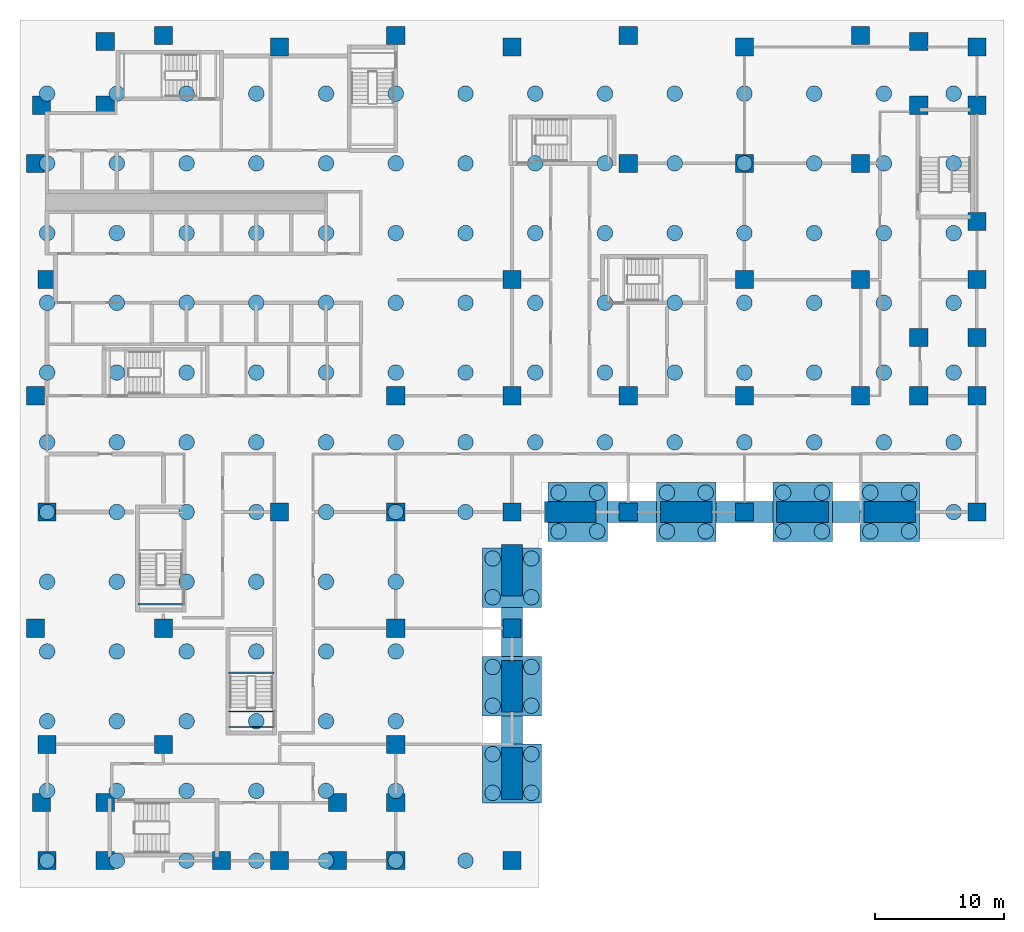
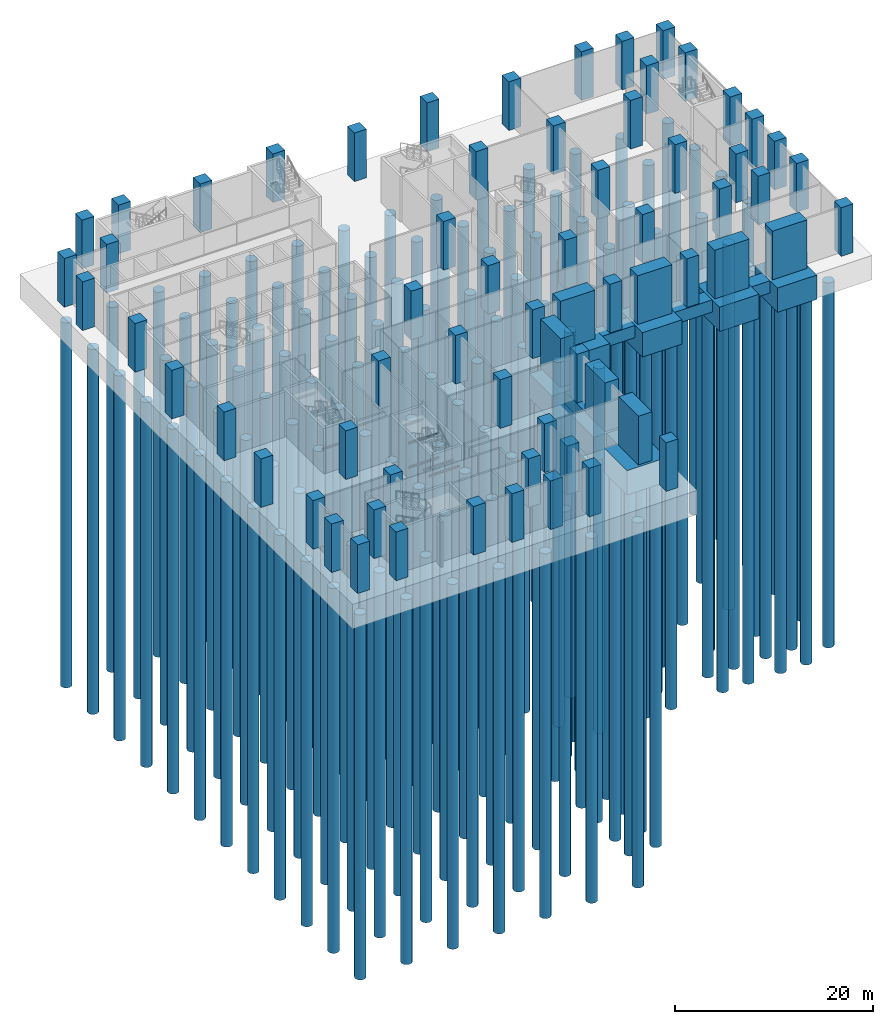
# One storey, part 1 of 12: 151 piles, 66 columns, 12 footings, 5 beams.
"""IFC4 building model written with IfcOpenShell, lengths in metres."""

from ifc_helpers import new_model, si_unit, direction, frame, origin, origin_2d, place, context, subcontext, project, spatial, polyline, rectangle, circle, i_section, outline, extrude, material, layer, layer_set, material_profile, profile_set, type_object, element, save


model = new_model("IFC4")

# Units and contexts
model_context = context("Model", 3, precision=1e-05, world=origin(), true_north=direction((0.0, 1.0)))
body_context = subcontext(model_context, "Body", "Model", "MODEL_VIEW")
ifc_project = project(units=[si_unit("LENGTHUNIT", "METRE"), si_unit("AREAUNIT", "SQUARE_METRE"), si_unit("VOLUMEUNIT", "CUBIC_METRE"), si_unit("PLANEANGLEUNIT", "RADIAN"), si_unit("MASSUNIT", "GRAM", prefix="KILO")], contexts=[model_context])

# Site, building, storey
site_placement = place(None, origin())
site = spatial("IfcSite", under=ifc_project, at=site_placement, CompositionType="ELEMENT")
building_placement = place(site_placement, origin())
building = spatial("IfcBuilding", under=site, at=building_placement, Name="Brondeck Convention Tower", CompositionType="ELEMENT")
storey_placement = place(building_placement, frame((0.0, 0.0, -6.0)))
storey = spatial("IfcBuildingStorey", under=building, at=storey_placement, Name="B1", CompositionType="ELEMENT", Elevation=-6.0)

# Piles
ifc_material_1 = material(Name="Concrete C40/50", Category="concrete")
ifc_material_profile_1 = material_profile(ifc_material_1, circle(Radius=0.60009765625, at=origin_2d()), Name="Bored pile 1200 Concrete C40/50")
ifc_profile_set_1 = profile_set([ifc_material_profile_1], Name="Concrete C40/50")
pile_type = type_object("IfcPileType", Name="Bored pile 1200 Concrete C40/50", PredefinedType="BORED", material=ifc_profile_set_1)
for number, where, z_axis, x_axis, name in (
    (1, (0.0, 0.0, -2.89990234375), (0.0, 0.0, -1.0), (1.0, 0.0, 0.0), "STR-PILE-001"),
    (2, (0.0, 5.39990234375, -2.89990234375), (0.0, 0.0, -1.0), (1.0, 0.0, 0.0), "STR-PILE-002"),
    (3, (0.0, 10.800048828125, -2.89990234375), (0.0, 0.0, -1.0), (1.0, 0.0, 0.0), "STR-PILE-003"),
    (4, (0.0, 16.199951171875, -2.89990234375), (0.0, 0.0, -1.0), (1.0, 0.0, 0.0), "STR-PILE-004"),
    (5, (0.0, 21.60009765625, -2.89990234375), (0.0, 0.0, -1.0), (1.0, 0.0, 0.0), "STR-PILE-005"),
    (6, (0.0, 27.0, -2.89990234375), (0.0, 0.0, -1.0), (1.0, 0.0, 0.0), "STR-PILE-006"),
    (7, (0.0, 32.39990234375, -2.89990234375), (0.0, 0.0, -1.0), (1.0, 0.0, 0.0), "STR-PILE-007"),
    (8, (0.0, 37.800048828125, -2.89990234375), (0.0, 0.0, -1.0), (1.0, 0.0, 0.0), "STR-PILE-008"),
    (9, (0.0, 43.199951171875, -2.89990234375), (0.0, 0.0, -1.0), (1.0, 0.0, 0.0), "STR-PILE-009"),
    (10, (0.0, 48.60009765625, -2.89990234375), (0.0, 0.0, -1.0), (1.0, 0.0, 0.0), "STR-PILE-010"),
    (11, (0.0, 54.0, -2.89990234375), (0.0, 0.0, -1.0), (1.0, 0.0, 0.0), "STR-PILE-011"),
    (12, (0.0, 59.39990234375, -2.89990234375), (0.0, 0.0, -1.0), (1.0, 0.0, 0.0), "STR-PILE-012"),
    (13, (5.39990234375, 0.0, -2.89990234375), (0.0, 0.0, -1.0), (1.0, 0.0, 0.0), "STR-PILE-013"),
    (14, (5.39990234375, 5.39990234375, -2.89990234375), (0.0, 0.0, -1.0), (1.0, 0.0, 0.0), "STR-PILE-014"),
    (15, (5.39990234375, 10.800048828125, -2.89990234375), (0.0, 0.0, -1.0), (1.0, 0.0, 0.0), "STR-PILE-015"),
    (16, (5.39990234375, 16.199951171875, -2.89990234375), (0.0, 0.0, -1.0), (1.0, 0.0, 0.0), "STR-PILE-016"),
    (17, (5.39990234375, 21.60009765625, -2.89990234375), (0.0, 0.0, -1.0), (1.0, 0.0, 0.0), "STR-PILE-017"),
    (18, (5.39990234375, 27.0, -2.89990234375), (0.0, 0.0, -1.0), (1.0, 0.0, 0.0), "STR-PILE-018"),
    (19, (5.39990234375, 32.39990234375, -2.89990234375), (0.0, 0.0, -1.0), (1.0, 0.0, 0.0), "STR-PILE-019"),
    (20, (5.39990234375, 37.800048828125, -2.89990234375), (0.0, 0.0, -1.0), (1.0, 0.0, 0.0), "STR-PILE-020"),
    (21, (5.39990234375, 43.199951171875, -2.89990234375), (0.0, 0.0, -1.0), (1.0, 0.0, 0.0), "STR-PILE-021"),
    (22, (5.39990234375, 48.60009765625, -2.89990234375), (0.0, 0.0, -1.0), (1.0, 0.0, 0.0), "STR-PILE-022"),
    (23, (5.39990234375, 54.0, -2.89990234375), (0.0, 0.0, -1.0), (1.0, 0.0, 0.0), "STR-PILE-023"),
    (24, (5.39990234375, 59.39990234375, -2.89990234375), (0.0, 0.0, -1.0), (1.0, 0.0, 0.0), "STR-PILE-024"),
    (25, (10.800048828125, 0.0, -2.89990234375), (0.0, 0.0, -1.0), (1.0, 0.0, 0.0), "STR-PILE-025"),
    (26, (10.800048828125, 5.39990234375, -2.89990234375), (0.0, 0.0, -1.0), (1.0, 0.0, 0.0), "STR-PILE-026"),
    (27, (10.800048828125, 10.800048828125, -2.89990234375), (0.0, 0.0, -1.0), (1.0, 0.0, 0.0), "STR-PILE-027"),
    (28, (10.800048828125, 16.199951171875, -2.89990234375), (0.0, 0.0, -1.0), (1.0, 0.0, 0.0), "STR-PILE-028"),
    (29, (10.800048828125, 21.60009765625, -2.89990234375), (0.0, 0.0, -1.0), (1.0, 0.0, 0.0), "STR-PILE-029"),
    (30, (10.800048828125, 27.0, -2.89990234375), (0.0, 0.0, -1.0), (1.0, 0.0, 0.0), "STR-PILE-030"),
    (31, (10.800048828125, 32.39990234375, -2.89990234375), (0.0, 0.0, -1.0), (1.0, 0.0, 0.0), "STR-PILE-031"),
    (32, (10.800048828125, 37.800048828125, -2.89990234375), (0.0, 0.0, -1.0), (1.0, 0.0, 0.0), "STR-PILE-032"),
    (33, (10.800048828125, 43.199951171875, -2.89990234375), (0.0, 0.0, -1.0), (1.0, 0.0, 0.0), "STR-PILE-033"),
    (34, (10.800048828125, 48.60009765625, -2.89990234375), (0.0, 0.0, -1.0), (1.0, 0.0, 0.0), "STR-PILE-034"),
    (35, (10.800048828125, 54.0, -2.89990234375), (0.0, 0.0, -1.0), (1.0, 0.0, 0.0), "STR-PILE-035"),
    (36, (10.800048828125, 59.39990234375, -2.89990234375), (0.0, 0.0, -1.0), (1.0, 0.0, 0.0), "STR-PILE-036"),
    (37, (16.199951171875, 0.0, -2.89990234375), (0.0, 0.0, -1.0), (1.0, 0.0, 0.0), "STR-PILE-037"),
    (38, (16.199951171875, 5.39990234375, -2.89990234375), (0.0, 0.0, -1.0), (1.0, 0.0, 0.0), "STR-PILE-038"),
    (39, (16.199951171875, 10.800048828125, -2.89990234375), (0.0, 0.0, -1.0), (1.0, 0.0, 0.0), "STR-PILE-039"),
    (40, (16.199951171875, 16.199951171875, -2.89990234375), (0.0, 0.0, -1.0), (1.0, 0.0, 0.0), "STR-PILE-040"),
    (41, (16.199951171875, 21.60009765625, -2.89990234375), (0.0, 0.0, -1.0), (1.0, 0.0, 0.0), "STR-PILE-041"),
    (42, (16.199951171875, 27.0, -2.89990234375), (0.0, 0.0, -1.0), (1.0, 0.0, 0.0), "STR-PILE-042"),
    (43, (16.199951171875, 32.39990234375, -2.89990234375), (0.0, 0.0, -1.0), (1.0, 0.0, 0.0), "STR-PILE-043"),
    (44, (16.199951171875, 37.800048828125, -2.89990234375), (0.0, 0.0, -1.0), (1.0, 0.0, 0.0), "STR-PILE-044"),
    (45, (16.199951171875, 43.199951171875, -2.89990234375), (0.0, 0.0, -1.0), (1.0, 0.0, 0.0), "STR-PILE-045"),
    (46, (16.199951171875, 48.60009765625, -2.89990234375), (0.0, 0.0, -1.0), (1.0, 0.0, 0.0), "STR-PILE-046"),
    (47, (16.199951171875, 54.0, -2.89990234375), (0.0, 0.0, -1.0), (1.0, 0.0, 0.0), "STR-PILE-047"),
    (48, (16.199951171875, 59.39990234375, -2.89990234375), (0.0, 0.0, -1.0), (1.0, 0.0, 0.0), "STR-PILE-048"),
    (49, (21.60009765625, 0.0, -2.89990234375), (0.0, 0.0, -1.0), (1.0, 0.0, 0.0), "STR-PILE-049"),
    (50, (21.60009765625, 5.39990234375, -2.89990234375), (0.0, 0.0, -1.0), (1.0, 0.0, 0.0), "STR-PILE-050"),
    (51, (21.60009765625, 10.800048828125, -2.89990234375), (0.0, 0.0, -1.0), (1.0, 0.0, 0.0), "STR-PILE-051"),
    (52, (21.60009765625, 16.199951171875, -2.89990234375), (0.0, 0.0, -1.0), (1.0, 0.0, 0.0), "STR-PILE-052"),
    (53, (21.60009765625, 21.60009765625, -2.89990234375), (0.0, 0.0, -1.0), (1.0, 0.0, 0.0), "STR-PILE-053"),
    (54, (21.60009765625, 27.0, -2.89990234375), (0.0, 0.0, -1.0), (1.0, 0.0, 0.0), "STR-PILE-054"),
    (55, (21.60009765625, 32.39990234375, -2.89990234375), (0.0, 0.0, -1.0), (1.0, 0.0, 0.0), "STR-PILE-055"),
    (56, (21.60009765625, 37.800048828125, -2.89990234375), (0.0, 0.0, -1.0), (1.0, 0.0, 0.0), "STR-PILE-056"),
    (57, (21.60009765625, 43.199951171875, -2.89990234375), (0.0, 0.0, -1.0), (1.0, 0.0, 0.0), "STR-PILE-057"),
    (58, (21.60009765625, 48.60009765625, -2.89990234375), (0.0, 0.0, -1.0), (1.0, 0.0, 0.0), "STR-PILE-058"),
    (59, (21.60009765625, 54.0, -2.89990234375), (0.0, 0.0, -1.0), (1.0, 0.0, 0.0), "STR-PILE-059"),
    (60, (21.60009765625, 59.39990234375, -2.89990234375), (0.0, 0.0, -1.0), (1.0, 0.0, 0.0), "STR-PILE-060"),
    (61, (27.0, 0.0, -2.89990234375), (0.0, 0.0, -1.0), (1.0, 0.0, 0.0), "STR-PILE-061"),
    (62, (27.0, 5.39990234375, -2.89990234375), (0.0, 0.0, -1.0), (1.0, 0.0, 0.0), "STR-PILE-062"),
    (63, (27.0, 10.800048828125, -2.89990234375), (0.0, 0.0, -1.0), (1.0, 0.0, 0.0), "STR-PILE-063"),
    (64, (27.0, 16.199951171875, -2.89990234375), (0.0, 0.0, -1.0), (1.0, 0.0, 0.0), "STR-PILE-064"),
    (65, (27.0, 21.60009765625, -2.89990234375), (0.0, 0.0, -1.0), (1.0, 0.0, 0.0), "STR-PILE-065"),
    (66, (27.0, 27.0, -2.89990234375), (0.0, 0.0, -1.0), (1.0, 0.0, 0.0), "STR-PILE-066"),
    (67, (27.0, 32.39990234375, -2.89990234375), (0.0, 0.0, -1.0), (1.0, 0.0, 0.0), "STR-PILE-067"),
    (68, (27.0, 37.800048828125, -2.89990234375), (0.0, 0.0, -1.0), (1.0, 0.0, 0.0), "STR-PILE-068"),
    (69, (27.0, 43.199951171875, -2.89990234375), (0.0, 0.0, -1.0), (1.0, 0.0, 0.0), "STR-PILE-069"),
    (70, (27.0, 48.60009765625, -2.89990234375), (0.0, 0.0, -1.0), (1.0, 0.0, 0.0), "STR-PILE-070"),
    (71, (27.0, 54.0, -2.89990234375), (0.0, 0.0, -1.0), (1.0, 0.0, 0.0), "STR-PILE-071"),
    (72, (27.0, 59.39990234375, -2.89990234375), (0.0, 0.0, -1.0), (1.0, 0.0, 0.0), "STR-PILE-072"),
    (73, (32.39990234375, 0.0, -2.89990234375), (0.0, 0.0, -1.0), (1.0, 0.0, 0.0), "STR-PILE-073"),
    (74, (32.39990234375, 27.0, -2.89990234375), (0.0, 0.0, -1.0), (1.0, 0.0, 0.0), "STR-PILE-074"),
    (75, (32.39990234375, 32.39990234375, -2.89990234375), (0.0, 0.0, -1.0), (1.0, 0.0, 0.0), "STR-PILE-075"),
    (76, (32.39990234375, 37.800048828125, -2.89990234375), (0.0, 0.0, -1.0), (1.0, 0.0, 0.0), "STR-PILE-076"),
    (77, (32.39990234375, 43.199951171875, -2.89990234375), (0.0, 0.0, -1.0), (1.0, 0.0, 0.0), "STR-PILE-077"),
    (78, (32.39990234375, 48.60009765625, -2.89990234375), (0.0, 0.0, -1.0), (1.0, 0.0, 0.0), "STR-PILE-078"),
    (79, (32.39990234375, 54.0, -2.89990234375), (0.0, 0.0, -1.0), (1.0, 0.0, 0.0), "STR-PILE-079"),
    (80, (32.39990234375, 59.39990234375, -2.89990234375), (0.0, 0.0, -1.0), (1.0, 0.0, 0.0), "STR-PILE-080"),
    (81, (37.800048828125, 32.39990234375, -2.89990234375), (0.0, 0.0, -1.0), (1.0, 0.0, 0.0), "STR-PILE-081"),
    (82, (37.800048828125, 37.800048828125, -2.89990234375), (0.0, 0.0, -1.0), (1.0, 0.0, 0.0), "STR-PILE-082"),
    (83, (37.800048828125, 43.199951171875, -2.89990234375), (0.0, 0.0, -1.0), (1.0, 0.0, 0.0), "STR-PILE-083"),
    (84, (37.800048828125, 48.60009765625, -2.89990234375), (0.0, 0.0, -1.0), (1.0, 0.0, 0.0), "STR-PILE-084"),
    (85, (37.800048828125, 54.0, -2.89990234375), (0.0, 0.0, -1.0), (1.0, 0.0, 0.0), "STR-PILE-085"),
    (86, (37.800048828125, 59.39990234375, -2.89990234375), (0.0, 0.0, -1.0), (1.0, 0.0, 0.0), "STR-PILE-086"),
    (87, (43.199951171875, 32.39990234375, -2.89990234375), (0.0, 0.0, -1.0), (1.0, 0.0, 0.0), "STR-PILE-087"),
    (88, (43.199951171875, 37.800048828125, -2.89990234375), (0.0, 0.0, -1.0), (1.0, 0.0, 0.0), "STR-PILE-088"),
    (89, (43.199951171875, 43.199951171875, -2.89990234375), (0.0, 0.0, -1.0), (1.0, 0.0, 0.0), "STR-PILE-089"),
    (90, (43.199951171875, 48.60009765625, -2.89990234375), (0.0, 0.0, -1.0), (1.0, 0.0, 0.0), "STR-PILE-090"),
    (91, (43.199951171875, 54.0, -2.89990234375), (0.0, 0.0, -1.0), (1.0, 0.0, 0.0), "STR-PILE-091"),
    (92, (43.199951171875, 59.39990234375, -2.89990234375), (0.0, 0.0, -1.0), (1.0, 0.0, 0.0), "STR-PILE-092"),
    (93, (48.60009765625, 32.39990234375, -2.89990234375), (0.0, 0.0, -1.0), (1.0, 0.0, 0.0), "STR-PILE-093"),
    (94, (48.60009765625, 37.800048828125, -2.89990234375), (0.0, 0.0, -1.0), (1.0, 0.0, 0.0), "STR-PILE-094"),
    (95, (48.60009765625, 43.199951171875, -2.89990234375), (0.0, 0.0, -1.0), (1.0, 0.0, 0.0), "STR-PILE-095"),
    (96, (48.60009765625, 48.60009765625, -2.89990234375), (0.0, 0.0, -1.0), (1.0, 0.0, 0.0), "STR-PILE-096"),
    (97, (48.60009765625, 54.0, -2.89990234375), (0.0, 0.0, -1.0), (1.0, 0.0, 0.0), "STR-PILE-097"),
    (98, (48.60009765625, 59.39990234375, -2.89990234375), (0.0, 0.0, -1.0), (1.0, 0.0, 0.0), "STR-PILE-098"),
    (99, (54.0, 32.39990234375, -2.89990234375), (0.0, 0.0, -1.0), (1.0, 0.0, 0.0), "STR-PILE-099"),
    (100, (54.0, 37.800048828125, -2.89990234375), (0.0, 0.0, -1.0), (1.0, 0.0, 0.0), "STR-PILE-100"),
    (101, (54.0, 43.199951171875, -2.89990234375), (0.0, 0.0, -1.0), (1.0, 0.0, 0.0), "STR-PILE-101"),
    (102, (54.0, 48.60009765625, -2.89990234375), (0.0, 0.0, -1.0), (1.0, 0.0, 0.0), "STR-PILE-102"),
    (103, (54.0, 54.0, -2.89990234375), (0.0, 0.0, -1.0), (1.0, 0.0, 0.0), "STR-PILE-103"),
    (104, (54.0, 59.39990234375, -2.89990234375), (0.0, 0.0, -1.0), (1.0, 0.0, 0.0), "STR-PILE-104"),
    (105, (59.39990234375, 32.39990234375, -2.89990234375), (0.0, 0.0, -1.0), (1.0, 0.0, 0.0), "STR-PILE-105"),
    (106, (59.39990234375, 37.800048828125, -2.89990234375), (0.0, 0.0, -1.0), (1.0, 0.0, 0.0), "STR-PILE-106"),
    (107, (59.39990234375, 43.199951171875, -2.89990234375), (0.0, 0.0, -1.0), (1.0, 0.0, 0.0), "STR-PILE-107"),
    (108, (59.39990234375, 48.60009765625, -2.89990234375), (0.0, 0.0, -1.0), (1.0, 0.0, 0.0), "STR-PILE-108"),
    (109, (59.39990234375, 54.0, -2.89990234375), (0.0, 0.0, -1.0), (1.0, 0.0, 0.0), "STR-PILE-109"),
    (110, (59.39990234375, 59.39990234375, -2.89990234375), (0.0, 0.0, -1.0), (1.0, 0.0, 0.0), "STR-PILE-110"),
    (111, (64.800048828125, 32.39990234375, -2.89990234375), (0.0, 0.0, -1.0), (1.0, 0.0, 0.0), "STR-PILE-111"),
    (112, (64.800048828125, 37.800048828125, -2.89990234375), (0.0, 0.0, -1.0), (1.0, 0.0, 0.0), "STR-PILE-112"),
    (113, (64.800048828125, 43.199951171875, -2.89990234375), (0.0, 0.0, -1.0), (1.0, 0.0, 0.0), "STR-PILE-113"),
    (114, (64.800048828125, 48.60009765625, -2.89990234375), (0.0, 0.0, -1.0), (1.0, 0.0, 0.0), "STR-PILE-114"),
    (115, (64.800048828125, 54.0, -2.89990234375), (0.0, 0.0, -1.0), (1.0, 0.0, 0.0), "STR-PILE-115"),
    (116, (64.800048828125, 59.39990234375, -2.89990234375), (0.0, 0.0, -1.0), (1.0, 0.0, 0.0), "STR-PILE-116"),
    (117, (70.199951171875, 27.0, -2.89990234375), (0.0, 0.0, -1.0), (1.0, 0.0, 0.0), "STR-PILE-117"),
    (118, (70.199951171875, 32.39990234375, -2.89990234375), (0.0, 0.0, -1.0), (1.0, 0.0, 0.0), "STR-PILE-118"),
    (119, (70.199951171875, 37.800048828125, -2.89990234375), (0.0, 0.0, -1.0), (1.0, 0.0, 0.0), "STR-PILE-119"),
    (120, (70.199951171875, 43.199951171875, -2.89990234375), (0.0, 0.0, -1.0), (1.0, 0.0, 0.0), "STR-PILE-120"),
    (121, (70.199951171875, 48.60009765625, -2.89990234375), (0.0, 0.0, -1.0), (1.0, 0.0, 0.0), "STR-PILE-121"),
    (122, (70.199951171875, 54.0, -2.89990234375), (0.0, 0.0, -1.0), (1.0, 0.0, 0.0), "STR-PILE-122"),
    (123, (70.199951171875, 59.39990234375, -2.89990234375), (0.0, 0.0, -1.0), (1.0, 0.0, 0.0), "STR-PILE-123"),
    (124, (39.60009765625, 25.5, -2.89990234375), (0.0, 0.0, -1.0), (1.0, 0.0, 0.0), "STR-PILE-124"),
    (125, (39.60009765625, 28.5, -2.89990234375), (0.0, 0.0, -1.0), (1.0, 0.0, 0.0), "STR-PILE-125"),
    (126, (42.60009765625, 25.5, -2.89990234375), (0.0, 0.0, -1.0), (1.0, 0.0, 0.0), "STR-PILE-126"),
    (127, (42.60009765625, 28.5, -2.89990234375), (0.0, 0.0, -1.0), (1.0, 0.0, 0.0), "STR-PILE-127"),
    (128, (48.0, 25.5, -2.89990234375), (0.0, 0.0, -1.0), (1.0, 0.0, 0.0), "STR-PILE-128"),
    (129, (48.0, 28.5, -2.89990234375), (0.0, 0.0, -1.0), (1.0, 0.0, 0.0), "STR-PILE-129"),
    (130, (51.0, 25.5, -2.89990234375), (0.0, 0.0, -1.0), (1.0, 0.0, 0.0), "STR-PILE-130"),
    (131, (51.0, 28.5, -2.89990234375), (0.0, 0.0, -1.0), (1.0, 0.0, 0.0), "STR-PILE-131"),
    (132, (57.0, 25.5, -2.89990234375), (0.0, 0.0, -1.0), (1.0, 0.0, 0.0), "STR-PILE-132"),
    (133, (57.0, 28.5, -2.89990234375), (0.0, 0.0, -1.0), (1.0, 0.0, 0.0), "STR-PILE-133"),
    (134, (60.0, 25.5, -2.89990234375), (0.0, 0.0, -1.0), (1.0, 0.0, 0.0), "STR-PILE-134"),
    (135, (60.0, 28.5, -2.89990234375), (0.0, 0.0, -1.0), (1.0, 0.0, 0.0), "STR-PILE-135"),
    (136, (63.75, 25.5, -2.89990234375), (0.0, 0.0, -1.0), (1.0, 0.0, 0.0), "STR-PILE-136"),
    (137, (63.75, 28.5, -2.89990234375), (0.0, 0.0, -1.0), (1.0, 0.0, 0.0), "STR-PILE-137"),
    (138, (66.75, 25.5, -2.89990234375), (0.0, 0.0, -1.0), (1.0, 0.0, 0.0), "STR-PILE-138"),
    (139, (66.75, 28.5, -2.89990234375), (0.0, 0.0, -1.0), (1.0, 0.0, 0.0), "STR-PILE-139"),
    (140, (34.5, 20.39990234375, -2.89990234375), (0.0, 0.0, -1.0), (1.0, 0.0, 0.0), "STR-PILE-140"),
    (141, (34.5, 23.39990234375, -2.89990234375), (0.0, 0.0, -1.0), (1.0, 0.0, 0.0), "STR-PILE-141"),
    (142, (37.5, 20.39990234375, -2.89990234375), (0.0, 0.0, -1.0), (1.0, 0.0, 0.0), "STR-PILE-142"),
    (143, (37.5, 23.39990234375, -2.89990234375), (0.0, 0.0, -1.0), (1.0, 0.0, 0.0), "STR-PILE-143"),
    (144, (34.5, 12.0, -2.89990234375), (0.0, 0.0, -1.0), (1.0, 0.0, 0.0), "STR-PILE-144"),
    (145, (34.5, 15.0, -2.89990234375), (0.0, 0.0, -1.0), (1.0, 0.0, 0.0), "STR-PILE-145"),
    (146, (37.5, 12.0, -2.89990234375), (0.0, 0.0, -1.0), (1.0, 0.0, 0.0), "STR-PILE-146"),
    (147, (37.5, 15.0, -2.89990234375), (0.0, 0.0, -1.0), (1.0, 0.0, 0.0), "STR-PILE-147"),
    (148, (34.5, 5.25, -2.89990234375), (0.0, 0.0, -1.0), (1.0, 0.0, 0.0), "STR-PILE-148"),
    (149, (34.5, 8.25, -2.89990234375), (0.0, 0.0, -1.0), (1.0, 0.0, 0.0), "STR-PILE-149"),
    (150, (37.5, 5.25, -2.89990234375), (0.0, 0.0, -1.0), (1.0, 0.0, 0.0), "STR-PILE-150"),
    (151, (37.5, 8.25, -2.89990234375), (0.0, 0.0, -1.0), (1.0, 0.0, 0.0), "STR-PILE-151"),
):
    element("IfcPile", number, at=place(storey_placement, frame(where, z_axis=z_axis, x_axis=x_axis)), inside=storey, type_object=pile_type, Name=name, PredefinedType="BORED", context=body_context, shape_type="SweptSolid", body=[
        extrude(circle(Radius=0.60009765625, at=origin_2d()), origin(), (0.0, 0.0, 1.0), 45.0),
    ])

# Footings
ifc_material_profile_2 = material_profile(ifc_material_1, rectangle(XDim=1.60009765625, YDim=1.5, at=origin_2d()), Name="Foundation tie beam Concrete C40/50")
ifc_profile_set_2 = profile_set([ifc_material_profile_2], Name="Concrete C40/50")
footing_type_1 = type_object("IfcFootingType", Name="Foundation tie beam Concrete C40/50", PredefinedType="FOOTING_BEAM", material=ifc_profile_set_2)
footing_1_placement = place(storey_placement, frame((43.39990234375, 27.0, -0.75), z_axis=(1.0, 0.0, 0.0), x_axis=(0.0, 1.0, 0.0)))
element("IfcFooting", 152, at=footing_1_placement, inside=storey, type_object=footing_type_1, Name="STR-TIE-V-A-S-1-V-A-S-2", PredefinedType="FOOTING_BEAM", context=body_context, shape_type="SweptSolid", body=[
    extrude(rectangle(XDim=1.60009765625, YDim=1.5, at=origin_2d()), origin(), (0.0, 0.0, 1.0), 3.800048828125),
])
footing_2_placement = place(storey_placement, frame((51.800048828125, 27.0, -0.75), z_axis=(1.0, 0.0, 0.0), x_axis=(0.0, 1.0, 0.0)))
element("IfcFooting", 153, at=footing_2_placement, inside=storey, type_object=footing_type_1, Name="STR-TIE-V-A-S-2-V-A-S-3", PredefinedType="FOOTING_BEAM", context=body_context, shape_type="SweptSolid", body=[
    extrude(rectangle(XDim=1.60009765625, YDim=1.5, at=origin_2d()), origin(), (0.0, 0.0, 1.0), 4.39990234375),
])
for number, where, z_axis, x_axis, name in (
    (154, (60.800048828125, 27.0, -0.75), (1.0, 0.0, 0.0), (0.0, 1.0, 0.0), "STR-TIE-V-A-S-3-V-A-S-4"),
    (155, (36.0, 9.050048828125, -0.75), (0.0, 1.0, 0.0), (-1.0, 0.0, 0.0), "STR-TIE-V-B-E-3-V-B-E-2"),
):
    element("IfcFooting", number, at=place(storey_placement, frame(where, z_axis=z_axis, x_axis=x_axis)), inside=storey, type_object=footing_type_1, Name=name, PredefinedType="FOOTING_BEAM", context=body_context, shape_type="SweptSolid", body=[
        extrude(rectangle(XDim=1.60009765625, YDim=1.5, at=origin_2d()), origin(), (0.0, 0.0, 1.0), 2.14990234375),
    ])
footing_3_placement = place(storey_placement, frame((36.0, 15.800048828125, -0.75), z_axis=(0.0, 1.0, 0.0), x_axis=(-1.0, 0.0, 0.0)))
element("IfcFooting", 156, at=footing_3_placement, inside=storey, type_object=footing_type_1, Name="STR-TIE-V-B-E-2-V-B-E-1", PredefinedType="FOOTING_BEAM", context=body_context, shape_type="SweptSolid", body=[
    extrude(rectangle(XDim=1.60009765625, YDim=1.5, at=origin_2d()), origin(), (0.0, 0.0, 1.0), 3.800048828125),
])
ifc_layer = layer(ifc_material_1, 3.0)
ifc_layer_set = layer_set([ifc_layer], Name="Pile cap Concrete C40/50")
footing_type_2 = type_object("IfcFootingType", Name="Pile cap Concrete C40/50", PredefinedType="PILE_CAP", material=ifc_layer_set)
footing_4_placement = place(storey_placement, frame((0.0, 0.0, -3.0)))
element("IfcFooting", 157, at=footing_4_placement, inside=storey, type_object=footing_type_2, Name="STR-CAP-V-A-S-1", PredefinedType="PILE_CAP", context=body_context, shape_type="SweptSolid", body=[
    extrude(outline(polyline([(38.800048828125, 24.699951171875), (43.39990234375, 24.699951171875), (43.39990234375, 29.300048828125), (38.800048828125, 29.300048828125), (38.800048828125, 24.699951171875)])), origin(), (0.0, 0.0, 1.0), 3.0),
])
footing_5_placement = place(storey_placement, frame((0.0, 0.0, -3.0)))
element("IfcFooting", 158, at=footing_5_placement, inside=storey, type_object=footing_type_2, Name="STR-CAP-V-A-S-2", PredefinedType="PILE_CAP", context=body_context, shape_type="SweptSolid", body=[
    extrude(outline(polyline([(47.199951171875, 24.699951171875), (51.800048828125, 24.699951171875), (51.800048828125, 29.300048828125), (47.199951171875, 29.300048828125), (47.199951171875, 24.699951171875)])), origin(), (0.0, 0.0, 1.0), 3.0),
])
footing_6_placement = place(storey_placement, frame((0.0, 0.0, -3.0)))
element("IfcFooting", 159, at=footing_6_placement, inside=storey, type_object=footing_type_2, Name="STR-CAP-V-A-S-3", PredefinedType="PILE_CAP", context=body_context, shape_type="SweptSolid", body=[
    extrude(outline(polyline([(56.199951171875, 24.699951171875), (60.800048828125, 24.699951171875), (60.800048828125, 29.300048828125), (56.199951171875, 29.300048828125), (56.199951171875, 24.699951171875)])), origin(), (0.0, 0.0, 1.0), 3.0),
])
footing_7_placement = place(storey_placement, frame((0.0, 0.0, -3.0)))
element("IfcFooting", 160, at=footing_7_placement, inside=storey, type_object=footing_type_2, Name="STR-CAP-V-A-S-4", PredefinedType="PILE_CAP", context=body_context, shape_type="SweptSolid", body=[
    extrude(outline(polyline([(62.949951171875, 24.699951171875), (67.550048828125, 24.699951171875), (67.550048828125, 29.300048828125), (62.949951171875, 29.300048828125), (62.949951171875, 24.699951171875)])), origin(), (0.0, 0.0, 1.0), 3.0),
])
footing_8_placement = place(storey_placement, frame((0.0, 0.0, -3.0)))
element("IfcFooting", 161, at=footing_8_placement, inside=storey, type_object=footing_type_2, Name="STR-CAP-V-B-E-1", PredefinedType="PILE_CAP", context=body_context, shape_type="SweptSolid", body=[
    extrude(outline(polyline([(33.699951171875, 19.60009765625), (38.300048828125, 19.60009765625), (38.300048828125, 24.199951171875), (33.699951171875, 24.199951171875), (33.699951171875, 19.60009765625)])), origin(), (0.0, 0.0, 1.0), 3.0),
])
footing_9_placement = place(storey_placement, frame((0.0, 0.0, -3.0)))
element("IfcFooting", 162, at=footing_9_placement, inside=storey, type_object=footing_type_2, Name="STR-CAP-V-B-E-2", PredefinedType="PILE_CAP", context=body_context, shape_type="SweptSolid", body=[
    extrude(outline(polyline([(33.699951171875, 11.199951171875), (38.300048828125, 11.199951171875), (38.300048828125, 15.800048828125), (33.699951171875, 15.800048828125), (33.699951171875, 11.199951171875)])), origin(), (0.0, 0.0, 1.0), 3.0),
])
footing_10_placement = place(storey_placement, frame((0.0, 0.0, -3.0)))
element("IfcFooting", 163, at=footing_10_placement, inside=storey, type_object=footing_type_2, Name="STR-CAP-V-B-E-3", PredefinedType="PILE_CAP", context=body_context, shape_type="SweptSolid", body=[
    extrude(outline(polyline([(33.699951171875, 4.449951171875), (38.300048828125, 4.449951171875), (38.300048828125, 9.050048828125), (33.699951171875, 9.050048828125), (33.699951171875, 4.449951171875)])), origin(), (0.0, 0.0, 1.0), 3.0),
])

# Columns
ifc_material_2 = material(Name="Concrete C80/95", Category="concrete")
ifc_material_profile_3 = material_profile(ifc_material_2, rectangle(XDim=1.39990234375, YDim=1.39990234375, at=origin_2d()), Name="Mega column 1400x1400 Concrete C80/95")
ifc_profile_set_3 = profile_set([ifc_material_profile_3], Name="Concrete C80/95")
column_type_1 = type_object("IfcColumnType", Name="Mega column 1400x1400 Concrete C80/95", PredefinedType="COLUMN", material=ifc_profile_set_3)
for number, where, z_axis, x_axis, name in (
    (164, (4.5, 0.0, 0.0), (0.0, 0.0, 1.0), (1.0, 0.0, 0.0), "STR-COL-B1-BC-B-S-01"),
    (165, (13.5, 0.0, 0.0), (0.0, 0.0, 1.0), (1.0, 0.0, 0.0), "STR-COL-B1-BC-B-S-02"),
    (166, (22.5, 0.0, 0.0), (0.0, 0.0, 1.0), (1.0, 0.0, 0.0), "STR-COL-B1-BC-B-S-03"),
    (167, (27.0, 4.5, 0.0), (0.0, 0.0, 1.0), (1.0, 0.0, 0.0), "STR-COL-B1-BC-B-E-07"),
    (168, (27.0, 9.0, 0.0), (0.0, 0.0, 1.0), (1.0, 0.0, 0.0), "STR-COL-B1-BC-B-E-06"),
    (169, (27.0, 18.0, 0.0), (0.0, 0.0, 1.0), (1.0, 0.0, 0.0), "STR-COL-B1-BC-B-E-04"),
    (170, (27.0, 27.0, 0.0), (0.0, 0.0, 1.0), (1.0, 0.0, 0.0), "STR-COL-B1-BC-B-E-02"),
    (171, (27.0, 36.0, 0.0), (0.0, 0.0, 1.0), (1.0, 0.0, 0.0), "STR-COL-B1-BC-B-E-00"),
    (172, (36.0, 36.0, 0.0), (0.0, 0.0, 1.0), (1.0, 0.0, 0.0), "STR-COL-B1-BC-A-S-02"),
    (173, (45.0, 36.0, 0.0), (0.0, 0.0, 1.0), (1.0, 0.0, 0.0), "STR-COL-B1-BC-A-S-04"),
    (174, (54.0, 36.0, 0.0), (0.0, 0.0, 1.0), (1.0, 0.0, 0.0), "STR-COL-B1-BC-A-S-06"),
    (175, (63.0, 36.0, 0.0), (0.0, 0.0, 1.0), (1.0, 0.0, 0.0), "STR-COL-B1-BC-A-S-08"),
    (176, (67.5, 36.0, 0.0), (0.0, 0.0, 1.0), (1.0, 0.0, 0.0), "STR-COL-B1-BC-A-S-09"),
    (177, (72.0, 40.5, 0.0), (0.0, 0.0, 1.0), (1.0, 0.0, 0.0), "STR-COL-B1-BC-A-E-01"),
    (178, (72.0, 49.5, 0.0), (0.0, 0.0, 1.0), (1.0, 0.0, 0.0), "STR-COL-B1-BC-A-E-02"),
    (179, (72.0, 58.5, 0.0), (0.0, 0.0, 1.0), (1.0, 0.0, 0.0), "STR-COL-B1-BC-A-E-03"),
    (180, (67.5, 63.449951171875, 0.0), (0.0, 0.0, 1.0), (1.0, 0.0, 0.0), "STR-COL-B1-BC-A-N-15"),
    (181, (63.0, 63.89990234375, 0.0), (0.0, 0.0, 1.0), (1.0, 0.0, 0.0), "STR-COL-B1-BC-A-N-14"),
    (182, (54.0, 63.0, 0.0), (0.0, 0.0, 1.0), (1.0, 0.0, 0.0), "STR-COL-B1-BC-A-N-12"),
    (183, (45.0, 63.89990234375, 0.0), (0.0, 0.0, 1.0), (1.0, 0.0, 0.0), "STR-COL-B1-BC-A-N-10"),
    (184, (36.0, 63.0, 0.0), (0.0, 0.0, 1.0), (1.0, 0.0, 0.0), "STR-COL-B1-BC-A-N-08"),
    (185, (27.0, 63.89990234375, 0.0), (0.0, 0.0, 1.0), (1.0, 0.0, 0.0), "STR-COL-B1-BC-A-N-06"),
    (186, (18.0, 63.0, 0.0), (0.0, 0.0, 1.0), (1.0, 0.0, 0.0), "STR-COL-B1-BC-A-N-04"),
    (187, (9.0, 63.89990234375, 0.0), (0.0, 0.0, 1.0), (1.0, 0.0, 0.0), "STR-COL-B1-BC-A-N-02"),
    (188, (4.5, 63.449951171875, 0.0), (0.0, 0.0, 1.0), (1.0, 0.0, 0.0), "STR-COL-B1-BC-A-N-01"),
    (189, (-0.449951171875, 58.5, 0.0), (0.0, 0.0, 1.0), (1.0, 0.0, 0.0), "STR-COL-B1-BC-B-W-01"),
    (190, (-0.89990234375, 54.0, 0.0), (0.0, 0.0, 1.0), (1.0, 0.0, 0.0), "STR-COL-B1-BC-B-W-02"),
    (191, (0.0, 45.0, 0.0), (0.0, 0.0, 1.0), (1.0, 0.0, 0.0), "STR-COL-B1-BC-B-W-04"),
    (192, (-0.89990234375, 36.0, 0.0), (0.0, 0.0, 1.0), (1.0, 0.0, 0.0), "STR-COL-B1-BC-B-W-06"),
    (193, (0.0, 27.0, 0.0), (0.0, 0.0, 1.0), (1.0, 0.0, 0.0), "STR-COL-B1-BC-B-W-08"),
    (194, (-0.89990234375, 18.0, 0.0), (0.0, 0.0, 1.0), (1.0, 0.0, 0.0), "STR-COL-B1-BC-B-W-10"),
    (195, (0.0, 9.0, 0.0), (0.0, 0.0, 1.0), (1.0, 0.0, 0.0), "STR-COL-B1-BC-B-W-12"),
    (196, (-0.449951171875, 4.5, 0.0), (0.0, 0.0, 1.0), (1.0, 0.0, 0.0), "STR-COL-B1-BC-B-W-13"),
    (197, (4.5, 4.5, 0.0), (0.0, 0.0, 1.0), (1.0, 0.0, 0.0), "STR-COL-B1-NC-SWB"),
    (198, (22.5, 4.5, 0.0), (0.0, 0.0, 1.0), (1.0, 0.0, 0.0), "STR-COL-B1-NC-SEB"),
    (199, (67.5, 40.5, 0.0), (0.0, 0.0, 1.0), (1.0, 0.0, 0.0), "STR-COL-B1-NC-SEA"),
    (200, (67.5, 58.5, 0.0), (0.0, 0.0, 1.0), (1.0, 0.0, 0.0), "STR-COL-B1-NC-NEA"),
    (201, (4.5, 58.5, 0.0), (0.0, 0.0, 1.0), (1.0, 0.0, 0.0), "STR-COL-B1-NC-NW"),
    (202, (0.0, 0.0, 0.0), (0.0, 0.0, 1.0), (1.0, 0.0, 0.0), "STR-COL-B1-G01"),
    (203, (9.0, 9.0, 0.0), (0.0, 0.0, 1.0), (1.0, 0.0, 0.0), "STR-COL-B1-G02"),
    (204, (9.0, 18.0, 0.0), (0.0, 0.0, 1.0), (1.0, 0.0, 0.0), "STR-COL-B1-G03"),
    (205, (18.0, 0.0, 0.0), (0.0, 0.0, 1.0), (1.0, 0.0, 0.0), "STR-COL-B1-G04"),
    (206, (18.0, 27.0, 0.0), (0.0, 0.0, 1.0), (1.0, 0.0, 0.0), "STR-COL-B1-G05"),
    (207, (27.0, 0.0, 0.0), (0.0, 0.0, 1.0), (1.0, 0.0, 0.0), "STR-COL-B1-G06"),
    (208, (36.0, 0.0, 0.0), (0.0, 0.0, 1.0), (1.0, 0.0, 0.0), "STR-COL-B1-G07"),
    (209, (36.0, 18.0, 0.0), (0.0, 0.0, 1.0), (1.0, 0.0, 0.0), "STR-COL-B1-G08"),
    (210, (36.0, 27.0, 0.0), (0.0, 0.0, 1.0), (1.0, 0.0, 0.0), "STR-COL-B1-G09"),
    (211, (36.0, 45.0, 0.0), (0.0, 0.0, 1.0), (1.0, 0.0, 0.0), "STR-COL-B1-G10"),
    (212, (45.0, 27.0, 0.0), (0.0, 0.0, 1.0), (1.0, 0.0, 0.0), "STR-COL-B1-G11"),
    (213, (45.0, 54.0, 0.0), (0.0, 0.0, 1.0), (1.0, 0.0, 0.0), "STR-COL-B1-G12"),
    (214, (54.0, 27.0, 0.0), (0.0, 0.0, 1.0), (1.0, 0.0, 0.0), "STR-COL-B1-G13"),
    (215, (54.0, 45.0, 0.0), (0.0, 0.0, 1.0), (1.0, 0.0, 0.0), "STR-COL-B1-G14"),
    (216, (54.0, 54.0, 0.0), (0.0, 0.0, 1.0), (1.0, 0.0, 0.0), "STR-COL-B1-G15"),
    (217, (63.0, 45.0, 0.0), (0.0, 0.0, 1.0), (1.0, 0.0, 0.0), "STR-COL-B1-G16"),
    (218, (63.0, 54.0, 0.0), (0.0, 0.0, 1.0), (1.0, 0.0, 0.0), "STR-COL-B1-G17"),
    (219, (72.0, 27.0, 0.0), (0.0, 0.0, 1.0), (1.0, 0.0, 0.0), "STR-COL-B1-G18"),
    (220, (72.0, 36.0, 0.0), (0.0, 0.0, 1.0), (1.0, 0.0, 0.0), "STR-COL-B1-G19"),
    (221, (72.0, 45.0, 0.0), (0.0, 0.0, 1.0), (1.0, 0.0, 0.0), "STR-COL-B1-G20"),
    (222, (72.0, 63.0, 0.0), (0.0, 0.0, 1.0), (1.0, 0.0, 0.0), "STR-COL-B1-G21"),
):
    element("IfcColumn", number, at=place(storey_placement, frame(where, z_axis=z_axis, x_axis=x_axis)), inside=storey, type_object=column_type_1, Name=name, PredefinedType="COLUMN", context=body_context, shape_type="SweptSolid", body=[
        extrude(rectangle(XDim=1.39990234375, YDim=1.39990234375, at=origin_2d()), origin(), (0.0, 0.0, 1.0), 6.0),
    ])
ifc_material_profile_4 = material_profile(ifc_material_2, rectangle(XDim=4.0, YDim=1.60009765625, at=origin_2d()), Name="V apex pier 4000x1600 Concrete C80/95")
ifc_profile_set_4 = profile_set([ifc_material_profile_4], Name="Concrete C80/95")
column_type_2 = type_object("IfcColumnType", Name="V apex pier 4000x1600 Concrete C80/95", PredefinedType="COLUMN", material=ifc_profile_set_4)
for number, where, z_axis, x_axis, name in (
    (223, (40.5, 27.0, 0.0), (0.0, 0.0, 1.0), (1.0, 0.0, 0.0), "STR-COL-B1-V-A-S-1"),
    (224, (49.5, 27.0, 0.0), (0.0, 0.0, 1.0), (1.0, 0.0, 0.0), "STR-COL-B1-V-A-S-2"),
    (225, (58.5, 27.0, 0.0), (0.0, 0.0, 1.0), (1.0, 0.0, 0.0), "STR-COL-B1-V-A-S-3"),
    (226, (65.25, 27.0, 0.0), (0.0, 0.0, 1.0), (1.0, 0.0, 0.0), "STR-COL-B1-V-A-S-4"),
    (227, (36.0, 22.5, 0.0), (0.0, 0.0, 1.0), (0.0, 1.0, 0.0), "STR-COL-B1-V-B-E-1"),
    (228, (36.0, 13.5, 0.0), (0.0, 0.0, 1.0), (0.0, 1.0, 0.0), "STR-COL-B1-V-B-E-2"),
    (229, (36.0, 6.75, 0.0), (0.0, 0.0, 1.0), (0.0, 1.0, 0.0), "STR-COL-B1-V-B-E-3"),
):
    element("IfcColumn", number, at=place(storey_placement, frame(where, z_axis=z_axis, x_axis=x_axis)), inside=storey, type_object=column_type_2, Name=name, PredefinedType="COLUMN", context=body_context, shape_type="SweptSolid", body=[
        extrude(rectangle(XDim=4.0, YDim=1.60009765625, at=origin_2d()), origin(), (0.0, 0.0, 1.0), 6.0),
    ])

# Beams
ifc_material_3 = material(Name="Steel S355", Category="steel")
ifc_material_profile_5 = material_profile(ifc_material_3, i_section(OverallWidth=0.10009765625, OverallDepth=0.199951171875, WebThickness=0.005615234375, FlangeThickness=0.008544921875, FilletRadius=0.011962890625, at=origin_2d()), Name="IPE200")
ifc_profile_set_5 = profile_set([ifc_material_profile_5], Name="Steel S355")
beam_type = type_object("IfcBeamType", Name="Landing ledger beam IPE 200", PredefinedType="BEAM", material=ifc_profile_set_5)
for number, where, z_axis, x_axis, name in (
    (230, (10.570068359375, 19.85009765625, 2.64990234375), (-1.0, 0.0, 0.0), (0.0, -1.0, 0.0), "B1 ST-BE landing beam"),
    (231, (17.570068359375, 14.550048828125, 1.14990234375), (-1.0, 0.0, 0.0), (0.0, -1.0, 0.0), "B1 ST-BF landing beam"),
    (232, (17.570068359375, 10.35009765625, 2.64990234375), (-1.0, 0.0, 0.0), (0.0, -1.0, 0.0), "B1 ST-BF landing beam"),
    (233, (17.570068359375, 11.550048828125, 2.64990234375), (-1.0, 0.0, 0.0), (0.0, -1.0, 0.0), "B1 ST-BF landing beam"),
    (234, (17.570068359375, 14.550048828125, 4.14990234375), (-1.0, 0.0, 0.0), (0.0, -1.0, 0.0), "B1 ST-BF landing beam"),
):
    element("IfcBeam", number, at=place(storey_placement, frame(where, z_axis=z_axis, x_axis=x_axis)), inside=storey, type_object=beam_type, Name=name, PredefinedType="BEAM", context=body_context, shape_type="SweptSolid", body=[
        extrude(i_section(OverallWidth=0.10009765625, OverallDepth=0.199951171875, WebThickness=0.005615234375, FlangeThickness=0.008544921875, FilletRadius=0.011962890625, at=origin_2d()), origin(), (0.0, 0.0, 1.0), 3.5400390625),
    ])

save(model, "model.ifc")
